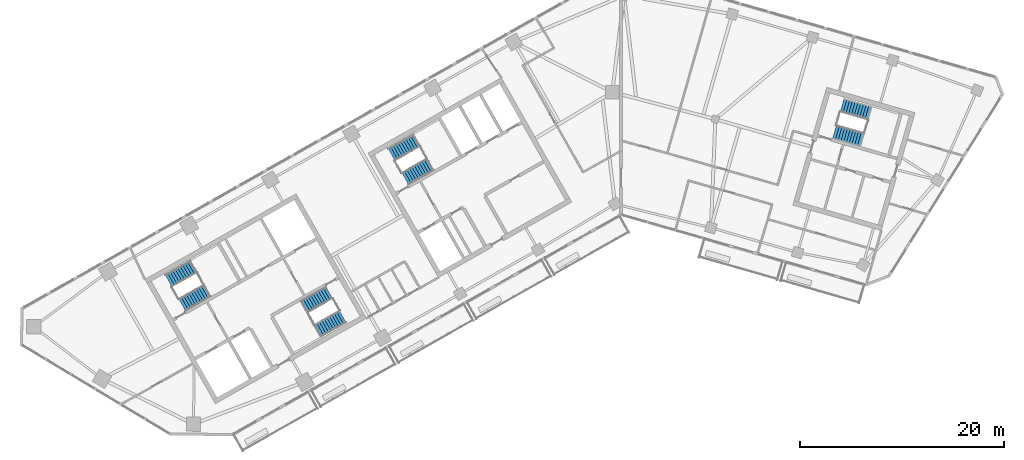
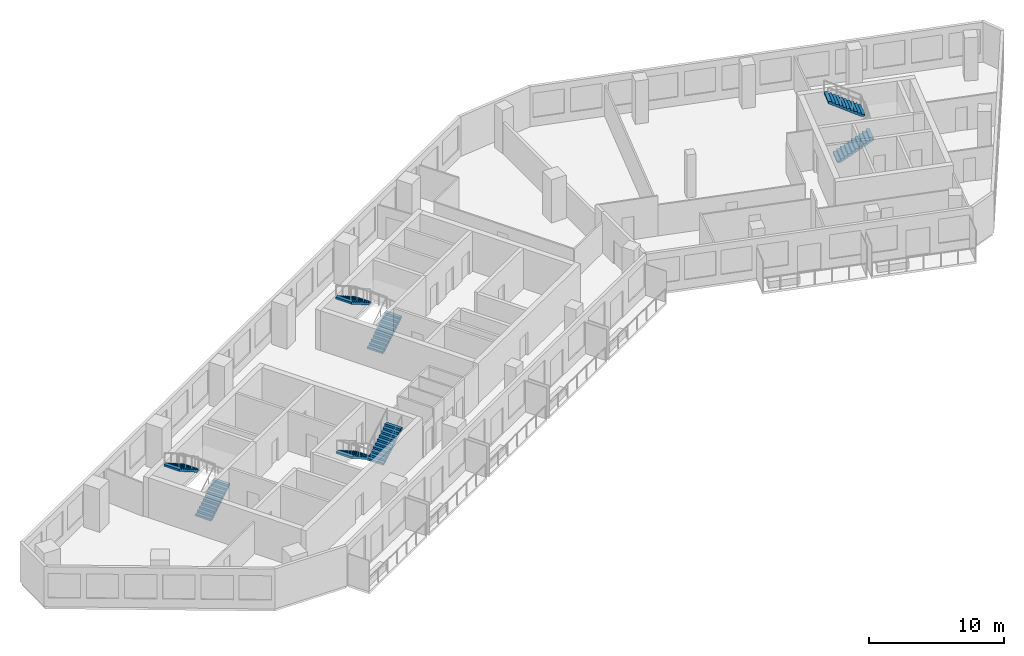
# One storey, part 9 of 12: 8 stair flights, 4 elements without a shape of their own.
"""IFC4 building model written with IfcOpenShell, lengths in metres."""

from ifc_helpers import new_model, si_unit, direction, frame, origin, place, context, subcontext, project, spatial, polyline, outline, extrude, material, type_object, element, aggregate, save


model = new_model("IFC4")

# Units and contexts
model_context = context("Model", 3, precision=1e-05, world=origin(), true_north=direction((0.0, 1.0)))
body_context = subcontext(model_context, "Body", "Model", "MODEL_VIEW")
ifc_project = project(units=[si_unit("LENGTHUNIT", "METRE"), si_unit("AREAUNIT", "SQUARE_METRE"), si_unit("VOLUMEUNIT", "CUBIC_METRE"), si_unit("PLANEANGLEUNIT", "RADIAN"), si_unit("MASSUNIT", "GRAM", prefix="KILO")], contexts=[model_context])

# Site, building, storey
site_placement = place(None, origin())
site = spatial("IfcSite", under=ifc_project, at=site_placement, CompositionType="ELEMENT")
building_placement = place(site_placement, origin())
building = spatial("IfcBuilding", under=site, at=building_placement, Name="Binnacle Exchange Tower", CompositionType="ELEMENT")
storey_placement = place(building_placement, frame((0.0, 0.0, 250.39990234375)))
storey = spatial("IfcBuildingStorey", under=building, at=storey_placement, Name="L55", CompositionType="ELEMENT", Elevation=250.39990234375)

# Stair, stair flights
ifc_material = material(Name="Concrete C35/45", Category="concrete")
stair_type = type_object("IfcStairType", Name="STAIR 22 RISERS 177", PredefinedType="HALF_TURN_STAIR", material=ifc_material)
stair_1_placement = place(storey_placement, origin())
stair_1 = element("IfcStair", 1, at=stair_1_placement, inside=storey, type_object=stair_type, Name="L55 Escape stair A1", PredefinedType="HALF_TURN_STAIR")
stair_flight_type = type_object("IfcStairFlightType", Name="STAIR FLIGHT 177X280", PredefinedType="STRAIGHT", material=ifc_material)
stair_flight_1_placement = place(storey_placement, frame((-42.9541015625, 39.17333984375, 0.0), z_axis=(0.0, 0.0, 1.0), x_axis=(0.870355584213, 0.492423757581, 0.0)))
stair_flight_1 = element("IfcStairFlight", 2, at=stair_flight_1_placement, type_object=stair_flight_type, Name="STA1 flight 1", NumberOfRisers=11, NumberOfTreads=10, PredefinedType="STRAIGHT", RiserHeight=0.177272727, TreadLength=0.28, context=body_context, shape_type="SweptSolid", body=[
    extrude(outline(polyline([(0.0, 0.0), (0.0, 0.17724609375), (0.280029296875, 0.17724609375), (0.280029296875, 0.3544921875), (0.56005859375, 0.3544921875), (0.56005859375, 0.53173828125), (0.840087890625, 0.53173828125), (0.840087890625, 0.708984375), (1.1201171875, 0.708984375), (1.1201171875, 0.886474609375), (1.39990234375, 0.886474609375), (1.39990234375, 1.063720703125), (1.679931640625, 1.063720703125), (1.679931640625, 1.240966796875), (1.9599609375, 1.240966796875), (1.9599609375, 1.418212890625), (2.239990234375, 1.418212890625), (2.239990234375, 1.595458984375), (2.52001953125, 1.595458984375), (2.52001953125, 1.772705078125), (2.800048828125, 1.772705078125), (2.800048828125, 1.949951171875), (2.800048828125, 1.59521484375), (0.2802734375, 0.0), (0.0, 0.0)])), frame((0.0, 0.675048828125, 0.0), z_axis=(0.0, -1.0, 0.0), x_axis=(1.0, 0.0, 0.0)), (0.0, 0.0, 1.0), 1.35009765625),
])
stair_flight_2_placement = place(storey_placement, frame((-41.846435546875, 42.902099609375, 1.9501953125), z_axis=(0.0, 0.0, 1.0), x_axis=(-0.870355584213, -0.492423757581, 0.0)))
stair_flight_2 = element("IfcStairFlight", 3, at=stair_flight_2_placement, type_object=stair_flight_type, Name="STA1 flight 2", NumberOfRisers=11, NumberOfTreads=10, PredefinedType="STRAIGHT", RiserHeight=0.177272727, TreadLength=0.28, context=body_context, shape_type="SweptSolid", body=[
    extrude(outline(polyline([(0.0, 0.0), (0.0, 0.17724609375), (0.280029296875, 0.17724609375), (0.280029296875, 0.3544921875), (0.56005859375, 0.3544921875), (0.56005859375, 0.53173828125), (0.840087890625, 0.53173828125), (0.840087890625, 0.708984375), (1.1201171875, 0.708984375), (1.1201171875, 0.886474609375), (1.39990234375, 0.886474609375), (1.39990234375, 1.063720703125), (1.679931640625, 1.063720703125), (1.679931640625, 1.240966796875), (1.9599609375, 1.240966796875), (1.9599609375, 1.418212890625), (2.239990234375, 1.418212890625), (2.239990234375, 1.595458984375), (2.52001953125, 1.595458984375), (2.52001953125, 1.772705078125), (2.800048828125, 1.772705078125), (2.800048828125, 1.949951171875), (2.800048828125, 1.59521484375), (0.2802734375, 0.0), (0.0, 0.0)])), frame((0.0, 0.675048828125, 0.0), z_axis=(0.0, -1.0, 0.0), x_axis=(1.0, 0.0, 0.0)), (0.0, 0.0, 1.0), 1.35009765625),
])
aggregate(stair_1, [stair_flight_1, stair_flight_2])

stair_2_placement = place(storey_placement, origin())
stair_2 = element("IfcStair", 4, at=stair_2_placement, inside=storey, type_object=stair_type, Name="L55 Escape stair A2", PredefinedType="HALF_TURN_STAIR")
stair_flight_3_placement = place(storey_placement, frame((-28.5732421875, 40.3583984375, 0.0), z_axis=(0.0, 0.0, 1.0), x_axis=(-0.870355584213, -0.492423757581, 0.0)))
stair_flight_3 = element("IfcStairFlight", 5, at=stair_flight_3_placement, type_object=stair_flight_type, Name="STA2 flight 1", NumberOfRisers=11, NumberOfTreads=10, PredefinedType="STRAIGHT", RiserHeight=0.177272727, TreadLength=0.28, context=body_context, shape_type="SweptSolid", body=[
    extrude(outline(polyline([(0.0, 0.0), (0.0, 0.17724609375), (0.280029296875, 0.17724609375), (0.280029296875, 0.3544921875), (0.56005859375, 0.3544921875), (0.56005859375, 0.53173828125), (0.840087890625, 0.53173828125), (0.840087890625, 0.708984375), (1.1201171875, 0.708984375), (1.1201171875, 0.886474609375), (1.39990234375, 0.886474609375), (1.39990234375, 1.063720703125), (1.679931640625, 1.063720703125), (1.679931640625, 1.240966796875), (1.9599609375, 1.240966796875), (1.9599609375, 1.418212890625), (2.239990234375, 1.418212890625), (2.239990234375, 1.595458984375), (2.52001953125, 1.595458984375), (2.52001953125, 1.772705078125), (2.800048828125, 1.772705078125), (2.800048828125, 1.949951171875), (2.800048828125, 1.59521484375), (0.2802734375, 0.0), (0.0, 0.0)])), frame((0.0, 0.675048828125, 0.0), z_axis=(0.0, -1.0, 0.0), x_axis=(1.0, 0.0, 0.0)), (0.0, 0.0, 1.0), 1.35009765625),
])
stair_flight_4_placement = place(storey_placement, frame((-29.6806640625, 36.629638671875, 1.9501953125), z_axis=(0.0, 0.0, 1.0), x_axis=(0.870355584213, 0.492423757581, 0.0)))
stair_flight_4 = element("IfcStairFlight", 6, at=stair_flight_4_placement, type_object=stair_flight_type, Name="STA2 flight 2", NumberOfRisers=11, NumberOfTreads=10, PredefinedType="STRAIGHT", RiserHeight=0.177272727, TreadLength=0.28, context=body_context, shape_type="SweptSolid", body=[
    extrude(outline(polyline([(0.0, 0.0), (0.0, 0.17724609375), (0.280029296875, 0.17724609375), (0.280029296875, 0.3544921875), (0.56005859375, 0.3544921875), (0.56005859375, 0.53173828125), (0.840087890625, 0.53173828125), (0.840087890625, 0.708984375), (1.1201171875, 0.708984375), (1.1201171875, 0.886474609375), (1.39990234375, 0.886474609375), (1.39990234375, 1.063720703125), (1.679931640625, 1.063720703125), (1.679931640625, 1.240966796875), (1.9599609375, 1.240966796875), (1.9599609375, 1.418212890625), (2.239990234375, 1.418212890625), (2.239990234375, 1.595458984375), (2.52001953125, 1.595458984375), (2.52001953125, 1.772705078125), (2.800048828125, 1.772705078125), (2.800048828125, 1.949951171875), (2.800048828125, 1.59521484375), (0.2802734375, 0.0), (0.0, 0.0)])), frame((0.0, 0.675048828125, 0.0), z_axis=(0.0, -1.0, 0.0), x_axis=(1.0, 0.0, 0.0)), (0.0, 0.0, 1.0), 1.35009765625),
])
aggregate(stair_2, [stair_flight_3, stair_flight_4])

stair_3_placement = place(storey_placement, origin())
stair_3 = element("IfcStair", 7, at=stair_3_placement, inside=storey, type_object=stair_type, Name="L55 Escape stair C1", PredefinedType="HALF_TURN_STAIR")
stair_flight_5_placement = place(storey_placement, frame((-21.115966796875, 51.528564453125, 0.0), z_axis=(0.0, 0.0, 1.0), x_axis=(0.870355584213, 0.492423757581, 0.0)))
stair_flight_5 = element("IfcStairFlight", 8, at=stair_flight_5_placement, type_object=stair_flight_type, Name="STC1 flight 1", NumberOfRisers=11, NumberOfTreads=10, PredefinedType="STRAIGHT", RiserHeight=0.177272727, TreadLength=0.28, context=body_context, shape_type="SweptSolid", body=[
    extrude(outline(polyline([(0.0, 0.0), (0.0, 0.17724609375), (0.280029296875, 0.17724609375), (0.280029296875, 0.3544921875), (0.56005859375, 0.3544921875), (0.56005859375, 0.53173828125), (0.840087890625, 0.53173828125), (0.840087890625, 0.708984375), (1.1201171875, 0.708984375), (1.1201171875, 0.886474609375), (1.39990234375, 0.886474609375), (1.39990234375, 1.063720703125), (1.679931640625, 1.063720703125), (1.679931640625, 1.240966796875), (1.9599609375, 1.240966796875), (1.9599609375, 1.418212890625), (2.239990234375, 1.418212890625), (2.239990234375, 1.595458984375), (2.52001953125, 1.595458984375), (2.52001953125, 1.772705078125), (2.800048828125, 1.772705078125), (2.800048828125, 1.949951171875), (2.800048828125, 1.59521484375), (0.2802734375, 0.0), (0.0, 0.0)])), frame((0.0, 0.675048828125, 0.0), z_axis=(0.0, -1.0, 0.0), x_axis=(1.0, 0.0, 0.0)), (0.0, 0.0, 1.0), 1.35009765625),
])
stair_flight_6_placement = place(storey_placement, frame((-20.008544921875, 55.25732421875, 1.9501953125), z_axis=(0.0, 0.0, 1.0), x_axis=(-0.870355584213, -0.492423757581, 0.0)))
stair_flight_6 = element("IfcStairFlight", 9, at=stair_flight_6_placement, type_object=stair_flight_type, Name="STC1 flight 2", NumberOfRisers=11, NumberOfTreads=10, PredefinedType="STRAIGHT", RiserHeight=0.177272727, TreadLength=0.28, context=body_context, shape_type="SweptSolid", body=[
    extrude(outline(polyline([(0.0, 0.0), (0.0, 0.17724609375), (0.280029296875, 0.17724609375), (0.280029296875, 0.3544921875), (0.56005859375, 0.3544921875), (0.56005859375, 0.53173828125), (0.840087890625, 0.53173828125), (0.840087890625, 0.708984375), (1.1201171875, 0.708984375), (1.1201171875, 0.886474609375), (1.39990234375, 0.886474609375), (1.39990234375, 1.063720703125), (1.679931640625, 1.063720703125), (1.679931640625, 1.240966796875), (1.9599609375, 1.240966796875), (1.9599609375, 1.418212890625), (2.239990234375, 1.418212890625), (2.239990234375, 1.595458984375), (2.52001953125, 1.595458984375), (2.52001953125, 1.772705078125), (2.800048828125, 1.772705078125), (2.800048828125, 1.949951171875), (2.800048828125, 1.59521484375), (0.2802734375, 0.0), (0.0, 0.0)])), frame((0.0, 0.675048828125, 0.0), z_axis=(0.0, -1.0, 0.0), x_axis=(1.0, 0.0, 0.0)), (0.0, 0.0, 1.0), 1.35009765625),
])
aggregate(stair_3, [stair_flight_5, stair_flight_6])

stair_4_placement = place(storey_placement, origin())
stair_4 = element("IfcStair", 10, at=stair_4_placement, inside=storey, type_object=stair_type, Name="L55 Escape stair D1", PredefinedType="HALF_TURN_STAIR")
stair_flight_7_placement = place(storey_placement, frame((20.914306640625, 56.109619140625, 0.0), z_axis=(0.0, 0.0, 1.0), x_axis=(0.961261811397, -0.275636953165, 0.0)))
stair_flight_7 = element("IfcStairFlight", 11, at=stair_flight_7_placement, type_object=stair_flight_type, Name="STD1 flight 1", NumberOfRisers=11, NumberOfTreads=10, PredefinedType="STRAIGHT", RiserHeight=0.177272727, TreadLength=0.28, context=body_context, shape_type="SweptSolid", body=[
    extrude(outline(polyline([(0.0, 0.0), (0.0, 0.17724609375), (0.280029296875, 0.17724609375), (0.280029296875, 0.3544921875), (0.56005859375, 0.3544921875), (0.56005859375, 0.53173828125), (0.840087890625, 0.53173828125), (0.840087890625, 0.708984375), (1.1201171875, 0.708984375), (1.1201171875, 0.886474609375), (1.39990234375, 0.886474609375), (1.39990234375, 1.063720703125), (1.679931640625, 1.063720703125), (1.679931640625, 1.240966796875), (1.9599609375, 1.240966796875), (1.9599609375, 1.418212890625), (2.239990234375, 1.418212890625), (2.239990234375, 1.595458984375), (2.52001953125, 1.595458984375), (2.52001953125, 1.772705078125), (2.800048828125, 1.772705078125), (2.800048828125, 1.949951171875), (2.800048828125, 1.59521484375), (0.2802734375, 0.0), (0.0, 0.0)])), frame((0.0, 0.675048828125, 0.0), z_axis=(0.0, -1.0, 0.0), x_axis=(1.0, 0.0, 0.0)), (0.0, 0.0, 1.0), 1.35009765625),
])
stair_flight_8_placement = place(storey_placement, frame((24.35009765625, 57.93310546875, 1.9501953125), z_axis=(0.0, 0.0, 1.0), x_axis=(-0.961261811397, 0.275636953165, 0.0)))
stair_flight_8 = element("IfcStairFlight", 12, at=stair_flight_8_placement, type_object=stair_flight_type, Name="STD1 flight 2", NumberOfRisers=11, NumberOfTreads=10, PredefinedType="STRAIGHT", RiserHeight=0.177272727, TreadLength=0.28, context=body_context, shape_type="SweptSolid", body=[
    extrude(outline(polyline([(0.0, 0.0), (0.0, 0.17724609375), (0.280029296875, 0.17724609375), (0.280029296875, 0.3544921875), (0.56005859375, 0.3544921875), (0.56005859375, 0.53173828125), (0.840087890625, 0.53173828125), (0.840087890625, 0.708984375), (1.1201171875, 0.708984375), (1.1201171875, 0.886474609375), (1.39990234375, 0.886474609375), (1.39990234375, 1.063720703125), (1.679931640625, 1.063720703125), (1.679931640625, 1.240966796875), (1.9599609375, 1.240966796875), (1.9599609375, 1.418212890625), (2.239990234375, 1.418212890625), (2.239990234375, 1.595458984375), (2.52001953125, 1.595458984375), (2.52001953125, 1.772705078125), (2.800048828125, 1.772705078125), (2.800048828125, 1.949951171875), (2.800048828125, 1.59521484375), (0.2802734375, 0.0), (0.0, 0.0)])), frame((0.0, 0.675048828125, 0.0), z_axis=(0.0, -1.0, 0.0), x_axis=(1.0, 0.0, 0.0)), (0.0, 0.0, 1.0), 1.35009765625),
])
aggregate(stair_4, [stair_flight_7, stair_flight_8])

save(model, "model.ifc")
